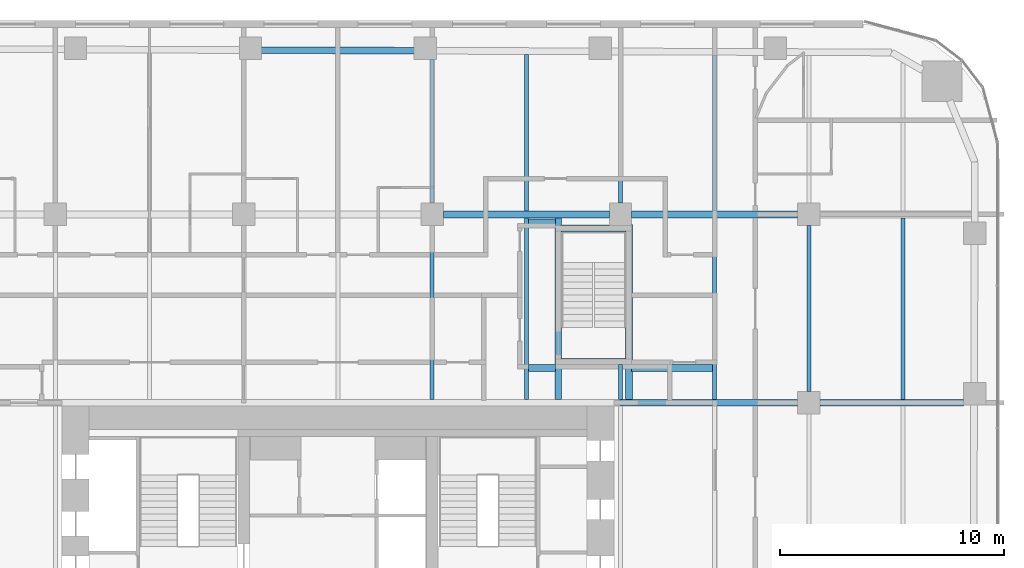
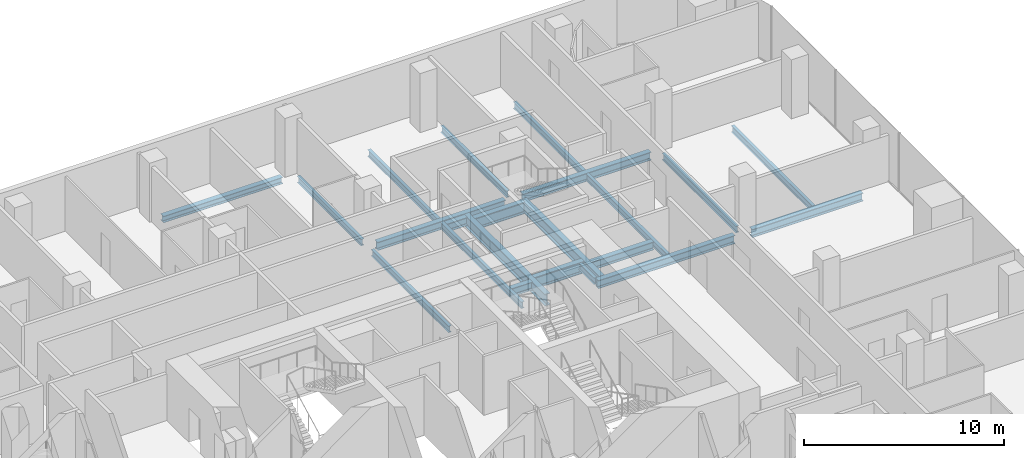
# One storey, part 12 of 27: 22 beams.
"""IFC4 building model written with IfcOpenShell, lengths in metres."""

import ifcopenshell
import ifcopenshell.guid

model = None  # the IFC model being written
_history = None  # IfcOwnerHistory: only IFC2X3 demands one
_inside = {}  # id of a spatial element -> (the spatial element, [elements in it])
_under = {}  # id of a project, library or spatial element -> (it, [spatial elements below it])
_declared = {}  # id of a project -> (the project, [libraries it declares])
_typed = {}  # id of a type object -> (the type object, [elements of that type])
_made_of = {}  # id of a material, layer set ... -> (it, [elements and type objects made of it])


def new_model(schema):
    """Start an empty IFC model of exactly this schema.

    Asked for "IFC4X3", IfcOpenShell would pick the latest addendum, in which some entities
    have other attributes; the version numbers below select the first issue.
    IFC2X3 requires an IfcOwnerHistory on every rooted entity: one is made here for all.
    """
    global model, _history
    if schema == "IFC4X3":
        model = ifcopenshell.file(schema_version=(4, 3, 0, 0))
    else:
        model = ifcopenshell.file(schema=schema)
    _inside.clear()
    _under.clear()
    _declared.clear()
    _typed.clear()
    _made_of.clear()
    _history = None
    if model.schema == "IFC2X3":
        org = make("IfcOrganization", Name="unknown")
        user = make(
            "IfcPersonAndOrganization",
            ThePerson=make("IfcPerson", FamilyName="unknown"),
            TheOrganization=org,
        )
        app = make(
            "IfcApplication",
            ApplicationDeveloper=org,
            Version="unknown",
            ApplicationFullName="unknown",
            ApplicationIdentifier="unknown",
        )
        _history = make(
            "IfcOwnerHistory",
            OwningUser=user,
            OwningApplication=app,
            ChangeAction="ADDED",
            CreationDate=0,
        )
    return model


def make(cls, **values):
    """One entity of the class cls with the attributes given. An attribute that is None is left unset."""
    return model.create_entity(
        cls, **{name: value for name, value in values.items() if value is not None}
    )


def rooted(cls, **values):
    """An entity with a GlobalId (a new one), such as an element, a storey or a relation."""
    return make(cls, GlobalId=ifcopenshell.guid.new(), OwnerHistory=_history, **values)


def si_unit(unit_type, name, prefix=None):
    """IfcSIUnit, for example si_unit("LENGTHUNIT", "METRE", prefix="MILLI")."""
    return make("IfcSIUnit", UnitType=unit_type, Prefix=prefix, Name=name)


def assignment(units):
    """IfcUnitAssignment: the units of a project."""
    return None if units is None else make("IfcUnitAssignment", Units=units)


def point(xyz):
    """IfcCartesianPoint."""
    return None if xyz is None else make("IfcCartesianPoint", Coordinates=xyz)


def direction(xyz):
    """IfcDirection."""
    return None if xyz is None else make("IfcDirection", DirectionRatios=xyz)


def frame(location, z_axis=None, x_axis=None):
    """IfcAxis2Placement3D, a coordinate frame: its origin and axes. An axis left out is left unset."""
    return make(
        "IfcAxis2Placement3D",
        Location=point(location),
        Axis=direction(z_axis),
        RefDirection=direction(x_axis),
    )


def frame_2d(location, x_axis=None):
    """IfcAxis2Placement2D, a coordinate frame in the plane: its origin and x axis."""
    return make(
        "IfcAxis2Placement2D", Location=point(location), RefDirection=direction(x_axis)
    )


def origin():
    """The frame at (0, 0, 0) with its axes left unset."""
    return frame((0.0, 0.0, 0.0))


def origin_2d():
    """The frame at (0, 0) in the plane with its x axis left unset."""
    return frame_2d((0.0, 0.0))


def place(relative_to, where):
    """IfcLocalPlacement: puts the frame where relative to a parent placement (None: the world)."""
    return make(
        "IfcLocalPlacement", PlacementRelTo=relative_to, RelativePlacement=where
    )


def context(
    kind, dimensions, precision=None, world=None, true_north=None, identifier=None
):
    """IfcGeometricRepresentationContext, for example the 3D "Model" context."""
    return make(
        "IfcGeometricRepresentationContext",
        ContextIdentifier=identifier,
        ContextType=kind,
        CoordinateSpaceDimension=dimensions,
        Precision=precision,
        WorldCoordinateSystem=world,
        TrueNorth=true_north,
    )


def subcontext(parent, identifier, kind, view, scale=None):
    """IfcGeometricRepresentationSubContext, for example "Body" below "Model"."""
    return make(
        "IfcGeometricRepresentationSubContext",
        ContextIdentifier=identifier,
        ContextType=kind,
        ParentContext=parent,
        TargetScale=scale,
        TargetView=view,
    )


def project(units=None, contexts=None):
    """IfcProject with its units and contexts."""
    return rooted(
        "IfcProject",
        Name="project",
        RepresentationContexts=contexts,
        UnitsInContext=assignment(units),
    )


def spatial(cls, under=None, at=None, **own):
    """A site, building, storey or space (cls), placed at a placement, below another one or the project."""
    s = rooted(cls, ObjectPlacement=at, **own)
    if under is not None:
        _under.setdefault(under.id(), (under, []))[1].append(s)
    return s


def profile(cls, at=None, kind="AREA", **sizes):
    """A parametric profile (cls). Its sizes go by their IFC names, for example OverallWidth=200.0."""
    return make(cls, ProfileType=kind, Position=at, **sizes)


def i_section(**sizes):
    """IfcIShapeProfileDef."""
    return profile("IfcIShapeProfileDef", **sizes)


def extrude(swept, where, along, depth):
    """IfcExtrudedAreaSolid: the profile swept, set in the frame where, extruded along a direction by depth."""
    return make(
        "IfcExtrudedAreaSolid",
        SweptArea=swept,
        Position=where,
        ExtrudedDirection=direction(along),
        Depth=depth,
    )


def shape(context_of_items, identifier, shape_type, items):
    """IfcShapeRepresentation: the items that make up one representation, for example the "Body"."""
    return make(
        "IfcShapeRepresentation",
        ContextOfItems=context_of_items,
        RepresentationIdentifier=identifier,
        RepresentationType=shape_type,
        Items=items,
    )


def material(Name=None, Category=None):
    """IfcMaterial."""
    return make("IfcMaterial", Name=Name, Category=Category)


def material_profile(
    of_material, cross_section, Name=None, Category=None, Priority=None
):
    """IfcMaterialProfile: a cross section and its material."""
    return make(
        "IfcMaterialProfile",
        Name=Name,
        Material=of_material,
        Profile=cross_section,
        Priority=Priority,
        Category=Category,
    )


def profile_set(profiles, Name=None, composite=None):
    """IfcMaterialProfileSet."""
    return make(
        "IfcMaterialProfileSet",
        Name=Name,
        MaterialProfiles=profiles,
        CompositeProfile=composite,
    )


def made_of(thing, what):
    """Note that an element or type object is made of a material, layer set ...; save() writes the relation."""
    if what is not None:
        _made_of.setdefault(what.id(), (what, []))[1].append(thing)
    return thing


def type_object(cls, material=None, **own):
    """A type object (cls), such as IfcWallType, which elements share."""
    return made_of(rooted(cls, **own), material)


def element(
    cls,
    number,
    at=None,
    inside=None,
    cuts=None,
    type_object=None,
    material=None,
    context=None,
    identifier="Body",
    shape_type=None,
    held_by="IfcProductDefinitionShape",
    body=None,
    shapes=None,
    **own,
):
    """One element of the class cls, such as IfcWall. Its Tag is "e" and its number.

    at: its placement. inside: the storey or other place that contains it. cuts: it is an
    opening in that element (IfcRelVoidsElement). A single representation is given by context,
    identifier, shape_type and body (its items); several are given by shapes. held_by: the class
    of the entity that holds the representations. save() writes the other relations.
    """
    e = rooted(cls, Tag="e%d" % number, ObjectPlacement=at, **own)
    if body is not None:
        shapes = [shape(context, identifier, shape_type, body)]
    if shapes is not None:
        e.Representation = make(held_by, Representations=shapes)
    if inside is not None:
        _inside.setdefault(inside.id(), (inside, []))[1].append(e)
    if cuts is not None:
        rooted(
            "IfcRelVoidsElement", RelatingBuildingElement=cuts, RelatedOpeningElement=e
        )
    if type_object is not None:
        _typed.setdefault(type_object.id(), (type_object, []))[1].append(e)
    return made_of(e, material)


def aggregate(whole, parts):
    """IfcRelAggregates: a whole, such as a stair, and the parts it consists of."""
    return rooted("IfcRelAggregates", RelatingObject=whole, RelatedObjects=parts)


def save(model, path):
    """Write the relations noted so far, then the file.

    IfcRelAggregates (storeys below a building ...), IfcRelContainedInSpatialStructure (elements
    in a storey), IfcRelDefinesByType, IfcRelAssociatesMaterial and IfcRelDeclares: one each for
    every whole, place, type object, material and project.
    """
    for whole, parts in _under.values():
        aggregate(whole, parts)
    for where, things in _inside.values():
        rooted(
            "IfcRelContainedInSpatialStructure",
            RelatedElements=things,
            RelatingStructure=where,
        )
    for kind, things in _typed.values():
        rooted("IfcRelDefinesByType", RelatedObjects=things, RelatingType=kind)
    for what, things in _made_of.values():
        rooted("IfcRelAssociatesMaterial", RelatedObjects=things, RelatingMaterial=what)
    for by, libraries in _declared.values():
        rooted("IfcRelDeclares", RelatingContext=by, RelatedDefinitions=libraries)
    model.write(path)


model = new_model("IFC4")

# Units and contexts
model_context = context("Model", 3, precision=1e-05, world=origin(), true_north=direction((0.0, 1.0)))
body_context = subcontext(model_context, "Body", "Model", "MODEL_VIEW")
ifc_project = project(units=[si_unit("LENGTHUNIT", "METRE"), si_unit("AREAUNIT", "SQUARE_METRE"), si_unit("VOLUMEUNIT", "CUBIC_METRE"), si_unit("PLANEANGLEUNIT", "RADIAN"), si_unit("MASSUNIT", "GRAM", prefix="KILO")], contexts=[model_context])

# Site, building, storey
site_placement = place(None, origin())
site = spatial("IfcSite", under=ifc_project, at=site_placement, CompositionType="ELEMENT")
building_placement = place(site_placement, origin())
building = spatial("IfcBuilding", under=site, at=building_placement, Name="Marenta Gate Hotel Tower", CompositionType="ELEMENT")
storey_placement = place(building_placement, frame((0.0, 0.0, 36.5)))
storey = spatial("IfcBuildingStorey", under=building, at=storey_placement, Name="L06", CompositionType="ELEMENT", Elevation=36.5)

# Beams
ifc_material_1 = material(Name="Steel S355", Category="steel")
ifc_material_profile_1 = material_profile(ifc_material_1, i_section(OverallWidth=0.300048828125, OverallDepth=0.39990234375, WebThickness=0.013427734375, FlangeThickness=0.02392578125, FilletRadius=0.027099609375, at=origin_2d()), Name="HEB 400")
ifc_profile_set_1 = profile_set([ifc_material_profile_1], Name="Steel S355")
beam_type_1 = type_object("IfcBeamType", Name="Edge beam HEB 400", PredefinedType="SPANDREL", material=ifc_profile_set_1)
beam_1_placement = place(storey_placement, frame((-3.44140625, 32.52587890625, -0.35009765625), z_axis=(0.999993195747, -0.003688964684, 0.0), x_axis=(0.003688964684, 0.999993195747, 0.0)))
element("IfcBeam", 1, at=beam_1_placement, inside=storey, type_object=beam_type_1, Name="L06-EB-16", PredefinedType="SPANDREL", context=body_context, shape_type="SweptSolid", body=[
    extrude(i_section(OverallWidth=0.300048828125, OverallDepth=0.39990234375, WebThickness=0.013427734375, FlangeThickness=0.02392578125, FilletRadius=0.027099609375, at=origin_2d()), origin(), (0.0, 0.0, 1.0), 6.8828125),
])
ifc_material_2 = material(Name="Steel S355", Category="steel")
ifc_material_profile_2 = material_profile(ifc_material_2, i_section(OverallWidth=0.179931640625, OverallDepth=0.39990234375, WebThickness=0.008544921875, FlangeThickness=0.013427734375, FilletRadius=0.02099609375, at=origin_2d()), Name="IPE 400")
ifc_profile_set_2 = profile_set([ifc_material_profile_2], Name="Steel S355")
beam_type_2 = type_object("IfcBeamType", Name="Floor beam IPE 400", PredefinedType="JOIST", material=ifc_profile_set_2)
beam_2_placement = place(storey_placement, frame((4.199951171875, 16.949951171875, -0.35009765625), z_axis=(0.0, 1.0, 0.0), x_axis=(-1.0, 0.0, 0.0)))
element("IfcBeam", 2, at=beam_2_placement, inside=storey, type_object=beam_type_2, Name="L06-FB-42", PredefinedType="JOIST", context=body_context, shape_type="SweptSolid", body=[
    extrude(i_section(OverallWidth=0.179931640625, OverallDepth=0.39990234375, WebThickness=0.008544921875, FlangeThickness=0.013427734375, FilletRadius=0.02099609375, at=origin_2d()), origin(), (0.0, 0.0, 1.0), 7.75),
])
beam_3_placement = place(storey_placement, frame((4.199951171875, 25.699951171875, -0.35009765625), z_axis=(0.0, 1.0, 0.0), x_axis=(-1.0, 0.0, 0.0)))
element("IfcBeam", 3, at=beam_3_placement, inside=storey, type_object=beam_type_2, Name="L06-FB-43", PredefinedType="JOIST", context=body_context, shape_type="SweptSolid", body=[
    extrude(i_section(OverallWidth=0.179931640625, OverallDepth=0.39990234375, WebThickness=0.008544921875, FlangeThickness=0.013427734375, FilletRadius=0.02099609375, at=origin_2d()), origin(), (0.0, 0.0, 1.0), 6.400146484375),
])
beam_4_placement = place(storey_placement, frame((8.39990234375, 16.949951171875, -0.35009765625), z_axis=(0.0, 1.0, 0.0), x_axis=(-1.0, 0.0, 0.0)))
element("IfcBeam", 4, at=beam_4_placement, inside=storey, type_object=beam_type_2, Name="L06-FB-47", PredefinedType="JOIST", context=body_context, shape_type="SweptSolid", body=[
    extrude(i_section(OverallWidth=0.179931640625, OverallDepth=0.39990234375, WebThickness=0.008544921875, FlangeThickness=0.013427734375, FilletRadius=0.02099609375, at=origin_2d()), origin(), (0.0, 0.0, 1.0), 8.10009765625),
])
beam_5_placement = place(storey_placement, frame((8.39990234375, 25.35009765625, -0.35009765625), z_axis=(0.0, 1.0, 0.0), x_axis=(-1.0, 0.0, 0.0)))
element("IfcBeam", 5, at=beam_5_placement, inside=storey, type_object=beam_type_2, Name="L06-FB-48", PredefinedType="JOIST", context=body_context, shape_type="SweptSolid", body=[
    extrude(i_section(OverallWidth=0.179931640625, OverallDepth=0.39990234375, WebThickness=0.008544921875, FlangeThickness=0.013427734375, FilletRadius=0.02099609375, at=origin_2d()), origin(), (0.0, 0.0, 1.0), 6.98193359375),
])
beam_6_placement = place(storey_placement, frame((12.60009765625, 16.949951171875, -0.35009765625), z_axis=(0.0, 1.0, 0.0), x_axis=(-1.0, 0.0, 0.0)))
element("IfcBeam", 6, at=beam_6_placement, inside=storey, type_object=beam_type_2, Name="L06-FB-52", PredefinedType="JOIST", context=body_context, shape_type="SweptSolid", body=[
    extrude(i_section(OverallWidth=0.179931640625, OverallDepth=0.39990234375, WebThickness=0.008544921875, FlangeThickness=0.013427734375, FilletRadius=0.02099609375, at=origin_2d()), origin(), (0.0, 0.0, 1.0), 1.550048828125),
])
beam_7_placement = place(storey_placement, frame((12.60009765625, 25.699951171875, -0.35009765625), z_axis=(0.0, 1.0, 0.0), x_axis=(-1.0, 0.0, 0.0)))
element("IfcBeam", 7, at=beam_7_placement, inside=storey, type_object=beam_type_2, Name="L06-FB-53", PredefinedType="JOIST", context=body_context, shape_type="SweptSolid", body=[
    extrude(i_section(OverallWidth=0.179931640625, OverallDepth=0.39990234375, WebThickness=0.008544921875, FlangeThickness=0.013427734375, FilletRadius=0.02099609375, at=origin_2d()), origin(), (0.0, 0.0, 1.0), 6.616455078125),
])
beam_8_placement = place(storey_placement, frame((16.800048828125, 16.949951171875, -0.35009765625), z_axis=(0.0, 1.0, 0.0), x_axis=(-1.0, 0.0, 0.0)))
element("IfcBeam", 8, at=beam_8_placement, inside=storey, type_object=beam_type_2, Name="L06-FB-58", PredefinedType="JOIST", context=body_context, shape_type="SweptSolid", body=[
    extrude(i_section(OverallWidth=0.179931640625, OverallDepth=0.39990234375, WebThickness=0.008544921875, FlangeThickness=0.013427734375, FilletRadius=0.02099609375, at=origin_2d()), origin(), (0.0, 0.0, 1.0), 8.10009765625),
])
beam_9_placement = place(storey_placement, frame((16.800048828125, 25.35009765625, -0.35009765625), z_axis=(0.0, 1.0, 0.0), x_axis=(-1.0, 0.0, 0.0)))
element("IfcBeam", 9, at=beam_9_placement, inside=storey, type_object=beam_type_2, Name="L06-FB-59", PredefinedType="JOIST", context=body_context, shape_type="SweptSolid", body=[
    extrude(i_section(OverallWidth=0.179931640625, OverallDepth=0.39990234375, WebThickness=0.008544921875, FlangeThickness=0.013427734375, FilletRadius=0.02099609375, at=origin_2d()), origin(), (0.0, 0.0, 1.0), 6.95068359375),
])
beam_10_placement = place(storey_placement, frame((21.0, 17.300048828125, -0.35009765625), z_axis=(0.0, 1.0, 0.0), x_axis=(-1.0, 0.0, 0.0)))
element("IfcBeam", 10, at=beam_10_placement, inside=storey, type_object=beam_type_2, Name="L06-FB-64", PredefinedType="JOIST", context=body_context, shape_type="SweptSolid", body=[
    extrude(i_section(OverallWidth=0.179931640625, OverallDepth=0.39990234375, WebThickness=0.008544921875, FlangeThickness=0.013427734375, FilletRadius=0.02099609375, at=origin_2d()), origin(), (0.0, 0.0, 1.0), 7.39990234375),
])
beam_11_placement = place(storey_placement, frame((25.199951171875, 16.949951171875, -0.35009765625), z_axis=(0.0, 1.0, 0.0), x_axis=(-1.0, 0.0, 0.0)))
element("IfcBeam", 11, at=beam_11_placement, inside=storey, type_object=beam_type_2, Name="L06-FB-70", PredefinedType="JOIST", context=body_context, shape_type="SweptSolid", body=[
    extrude(i_section(OverallWidth=0.179931640625, OverallDepth=0.39990234375, WebThickness=0.008544921875, FlangeThickness=0.013427734375, FilletRadius=0.02099609375, at=origin_2d()), origin(), (0.0, 0.0, 1.0), 8.10009765625),
])
ifc_material_3 = material(Name="Steel S355", Category="steel")
ifc_material_profile_3 = material_profile(ifc_material_3, i_section(OverallWidth=0.300048828125, OverallDepth=0.5, WebThickness=0.014404296875, FlangeThickness=0.028076171875, FilletRadius=0.027099609375, at=origin_2d()), Name="HEB 500")
ifc_profile_set_3 = profile_set([ifc_material_profile_3], Name="Steel S355")
beam_type_3 = type_object("IfcBeamType", Name="Girder HEB 500", PredefinedType="BEAM", material=ifc_profile_set_3)
beam_12_placement = place(storey_placement, frame((12.60009765625, 16.800048828125, -0.39990234375), z_axis=(1.0, 0.0, 0.0), x_axis=(0.0, 1.0, 0.0)))
element("IfcBeam", 12, at=beam_12_placement, inside=storey, type_object=beam_type_3, Name="L06-GD-20", PredefinedType="BEAM", context=body_context, shape_type="SweptSolid", body=[
    extrude(i_section(OverallWidth=0.300048828125, OverallDepth=0.5, WebThickness=0.014404296875, FlangeThickness=0.028076171875, FilletRadius=0.027099609375, at=origin_2d()), origin(), (0.0, 0.0, 1.0), 7.89990234375),
])
beam_13_placement = place(storey_placement, frame((21.5, 16.800048828125, -0.39990234375), z_axis=(1.0, 0.0, 0.0), x_axis=(0.0, 1.0, 0.0)))
element("IfcBeam", 13, at=beam_13_placement, inside=storey, type_object=beam_type_3, Name="L06-GD-21", PredefinedType="BEAM", context=body_context, shape_type="SweptSolid", body=[
    extrude(i_section(OverallWidth=0.300048828125, OverallDepth=0.5, WebThickness=0.014404296875, FlangeThickness=0.028076171875, FilletRadius=0.027099609375, at=origin_2d()), origin(), (0.0, 0.0, 1.0), 6.39990234375),
])
beam_14_placement = place(storey_placement, frame((4.699951171875, 25.199951171875, -0.39990234375), z_axis=(1.0, 0.0, 0.0), x_axis=(0.0, 1.0, 0.0)))
element("IfcBeam", 14, at=beam_14_placement, inside=storey, type_object=beam_type_3, Name="L06-GD-26", PredefinedType="BEAM", context=body_context, shape_type="SweptSolid", body=[
    extrude(i_section(OverallWidth=0.300048828125, OverallDepth=0.5, WebThickness=0.014404296875, FlangeThickness=0.028076171875, FilletRadius=0.027099609375, at=origin_2d()), origin(), (0.0, 0.0, 1.0), 7.400146484375),
])
beam_15_placement = place(storey_placement, frame((13.10009765625, 25.199951171875, -0.39990234375), z_axis=(1.0, 0.0, 0.0), x_axis=(0.0, 1.0, 0.0)))
element("IfcBeam", 15, at=beam_15_placement, inside=storey, type_object=beam_type_3, Name="L06-GD-27", PredefinedType="BEAM", context=body_context, shape_type="SweptSolid", body=[
    extrude(i_section(OverallWidth=0.300048828125, OverallDepth=0.5, WebThickness=0.014404296875, FlangeThickness=0.028076171875, FilletRadius=0.027099609375, at=origin_2d()), origin(), (0.0, 0.0, 1.0), 7.39990234375),
])
ifc_material_4 = material(Name="Steel S355", Category="steel")
ifc_material_profile_4 = material_profile(ifc_material_4, i_section(OverallWidth=0.303955078125, OverallDepth=0.716064453125, WebThickness=0.027099609375, FlangeThickness=0.048095703125, FilletRadius=0.027099609375, at=origin_2d()), Name="HEM 700")
ifc_profile_set_4 = profile_set([ifc_material_profile_4], Name="Steel S355")
beam_type_4 = type_object("IfcBeamType", Name="Stair wall transfer beam HEM 700", PredefinedType="BEAM", material=ifc_profile_set_4)
beam_16_placement = place(storey_placement, frame((9.824951171875, 16.949951171875, -0.508056640625), z_axis=(0.0, 1.0, 0.0), x_axis=(-1.0, 0.0, 0.0)))
element("IfcBeam", 16, at=beam_16_placement, inside=storey, type_object=beam_type_4, Name="L06-XB-RS-Z1-4-a", PredefinedType="BEAM", context=body_context, shape_type="SweptSolid", body=[
    extrude(i_section(OverallWidth=0.303955078125, OverallDepth=0.716064453125, WebThickness=0.027099609375, FlangeThickness=0.048095703125, FilletRadius=0.027099609375, at=origin_2d()), origin(), (0.0, 0.0, 1.0), 8.10009765625),
])
beam_17_placement = place(storey_placement, frame((12.97509765625, 16.949951171875, -0.508056640625), z_axis=(0.0, 1.0, 0.0), x_axis=(-1.0, 0.0, 0.0)))
element("IfcBeam", 17, at=beam_17_placement, inside=storey, type_object=beam_type_4, Name="L06-XB-RS-Z1-4-b", PredefinedType="BEAM", context=body_context, shape_type="SweptSolid", body=[
    extrude(i_section(OverallWidth=0.303955078125, OverallDepth=0.716064453125, WebThickness=0.027099609375, FlangeThickness=0.048095703125, FilletRadius=0.027099609375, at=origin_2d()), origin(), (0.0, 0.0, 1.0), 7.800048828125),
])
for number, where, z_axis, x_axis, name in (
    (18, (9.949951171875, 18.625, -0.508056640625), (1.0, 0.0, 0.0), (0.0, 1.0, 0.0), "L06-XB-RS-Z1-4-c"),
    (19, (9.949951171875, 24.574951171875, -0.508056640625), (1.0, 0.0, 0.0), (0.0, 1.0, 0.0), "L06-XB-RS-Z1-4-d"),
):
    element("IfcBeam", number, at=place(storey_placement, frame(where, z_axis=z_axis, x_axis=x_axis)), inside=storey, type_object=beam_type_4, Name=name, PredefinedType="BEAM", context=body_context, shape_type="SweptSolid", body=[
        extrude(i_section(OverallWidth=0.303955078125, OverallDepth=0.716064453125, WebThickness=0.027099609375, FlangeThickness=0.048095703125, FilletRadius=0.027099609375, at=origin_2d()), origin(), (0.0, 0.0, 1.0), 2.900146484375),
    ])
ifc_material_5 = material(Name="Steel S355", Category="steel")
ifc_material_profile_5 = material_profile(ifc_material_5, i_section(OverallWidth=0.300048828125, OverallDepth=0.5, WebThickness=0.014404296875, FlangeThickness=0.028076171875, FilletRadius=0.027099609375, at=origin_2d()), Name="HEB 500")
ifc_profile_set_5 = profile_set([ifc_material_profile_5], Name="Steel S355")
beam_type_5 = type_object("IfcBeamType", Name="Trimmer HEB 500", PredefinedType="BEAM", material=ifc_profile_set_5)
beam_18_placement = place(storey_placement, frame((8.489990234375, 18.35009765625, -0.39990234375), z_axis=(1.0, 0.0, 0.0), x_axis=(0.0, 1.0, 0.0)))
element("IfcBeam", 20, at=beam_18_placement, inside=storey, type_object=beam_type_5, Name="L06-TR-13", PredefinedType="BEAM", context=body_context, shape_type="SweptSolid", body=[
    extrude(i_section(OverallWidth=0.300048828125, OverallDepth=0.5, WebThickness=0.014404296875, FlangeThickness=0.028076171875, FilletRadius=0.027099609375, at=origin_2d()), origin(), (0.0, 0.0, 1.0), 1.2099609375),
])
beam_19_placement = place(storey_placement, frame((13.10009765625, 18.35009765625, -0.39990234375), z_axis=(1.0, 0.0, 0.0), x_axis=(0.0, 1.0, 0.0)))
element("IfcBeam", 21, at=beam_19_placement, inside=storey, type_object=beam_type_5, Name="L06-TR-14", PredefinedType="BEAM", context=body_context, shape_type="SweptSolid", body=[
    extrude(i_section(OverallWidth=0.300048828125, OverallDepth=0.5, WebThickness=0.014404296875, FlangeThickness=0.028076171875, FilletRadius=0.027099609375, at=origin_2d()), origin(), (0.0, 0.0, 1.0), 3.60986328125),
])
beam_20_placement = place(storey_placement, frame((8.489990234375, 24.85009765625, -0.39990234375), z_axis=(1.0, 0.0, 0.0), x_axis=(0.0, 1.0, 0.0)))
element("IfcBeam", 22, at=beam_20_placement, inside=storey, type_object=beam_type_5, Name="L06-TR-15", PredefinedType="BEAM", context=body_context, shape_type="SweptSolid", body=[
    extrude(i_section(OverallWidth=0.300048828125, OverallDepth=0.5, WebThickness=0.014404296875, FlangeThickness=0.028076171875, FilletRadius=0.027099609375, at=origin_2d()), origin(), (0.0, 0.0, 1.0), 1.2099609375),
])

save(model, "model.ifc")
